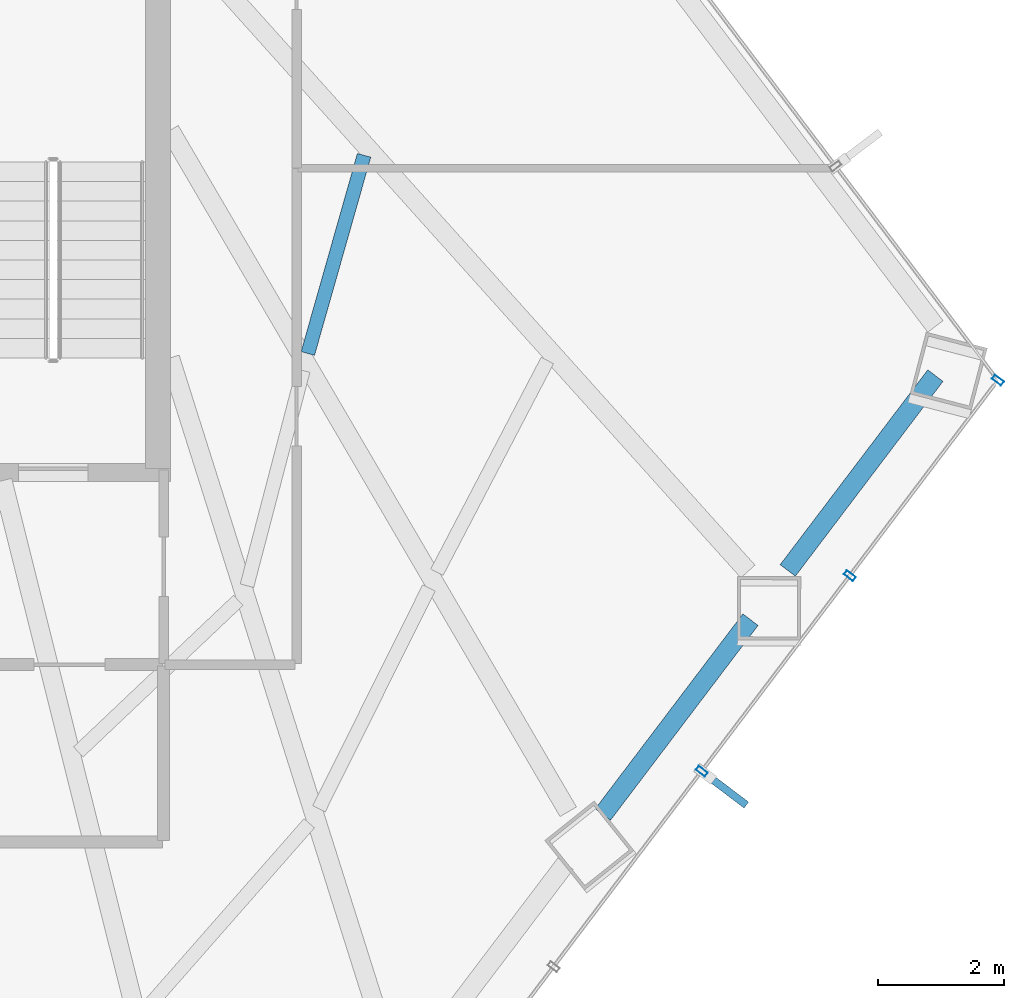
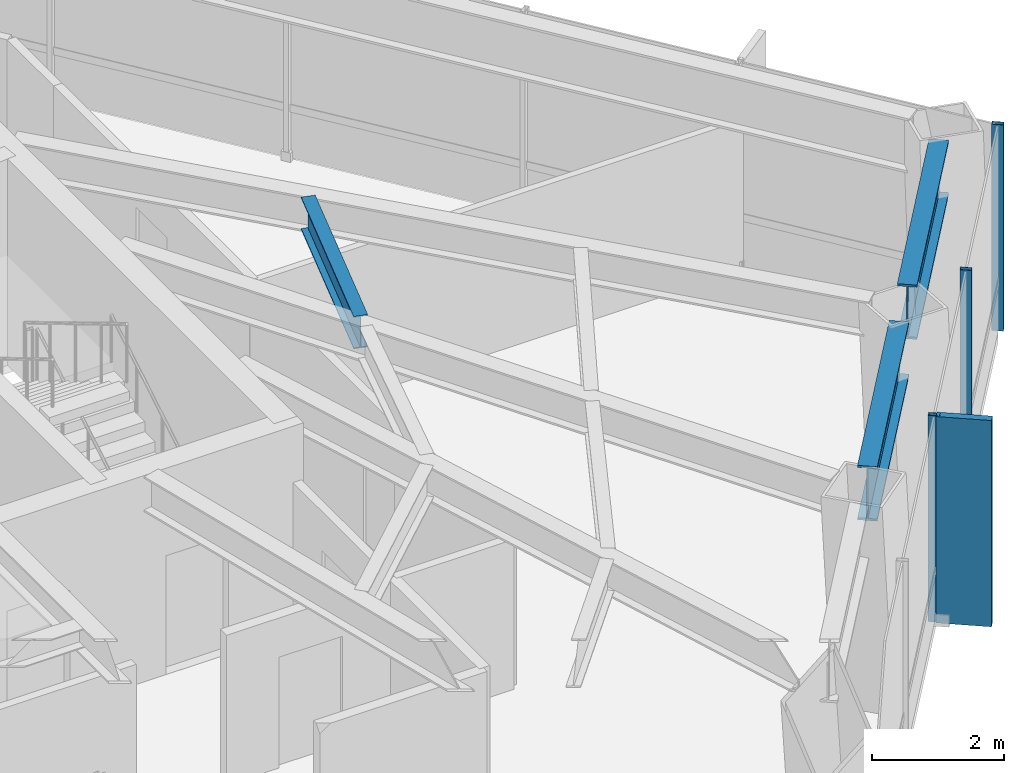
# One storey, part 19 of 26: 4 members, 3 beams, 1 element without a shape of its own.
"""IFC4 building model written with IfcOpenShell, lengths in metres."""

from ifc_helpers import new_model, si_unit, direction, frame, origin, origin_2d, place, context, subcontext, project, spatial, rectangle, hollow_rectangle, i_section, extrude, material, layer, layer_set, material_profile, profile_set, type_object, element, aggregate, save


model = new_model("IFC4")

# Units and contexts
model_context = context("Model", 3, precision=1e-05, world=origin(), true_north=direction((0.0, 1.0)))
body_context = subcontext(model_context, "Body", "Model", "MODEL_VIEW")
ifc_project = project(units=[si_unit("LENGTHUNIT", "METRE"), si_unit("AREAUNIT", "SQUARE_METRE"), si_unit("VOLUMEUNIT", "CUBIC_METRE"), si_unit("PLANEANGLEUNIT", "RADIAN"), si_unit("MASSUNIT", "GRAM", prefix="KILO")], contexts=[model_context])

# Site, building, storey
site_placement = place(None, origin())
site = spatial("IfcSite", under=ifc_project, at=site_placement, CompositionType="ELEMENT")
building_placement = place(site_placement, origin())
building = spatial("IfcBuilding", under=site, at=building_placement, Name="Zarrinselat Tower", CompositionType="ELEMENT")
storey_placement = place(building_placement, frame((0.0, 0.0, 35.699951171875)))
storey = spatial("IfcBuildingStorey", under=building, at=storey_placement, Name="L08", CompositionType="ELEMENT", Elevation=35.699951171875)

# Beams
ifc_material_1 = material(Name="Steel S460M", Category="steel")
ifc_material_profile_1 = material_profile(ifc_material_1, i_section(OverallWidth=0.302001953125, OverallDepth=1.008056640625, WebThickness=0.02099609375, FlangeThickness=0.0400390625, at=origin_2d()), Name="HEM 1000")
ifc_profile_set_1 = profile_set([ifc_material_profile_1], Name="Steel S460M")
beam_type_1 = type_object("IfcBeamType", Name="BM-HEM1000", PredefinedType="BEAM", material=ifc_profile_set_1)
for number, where, z_axis, x_axis, name in (
    (1, (55.2939453125, 27.781005859375, 3.316162109375), (0.603852824523, 0.79709583258, 0.0), (-0.79709583258, 0.603852824523, 0.0), "L08 Perimeter Spandrel Girder SP13"),
    (2, (58.218017578125, 31.640380859375, 3.316162109375), (0.603852824523, 0.79709583258, 0.0), (-0.79709583258, 0.603852824523, 0.0), "L08 Perimeter Spandrel Girder SP14"),
):
    element("IfcBeam", number, at=place(storey_placement, frame(where, z_axis=z_axis, x_axis=x_axis)), inside=storey, type_object=beam_type_1, Name=name, PredefinedType="BEAM", context=body_context, shape_type="SweptSolid", body=[
        extrude(i_section(OverallWidth=0.302001953125, OverallDepth=1.008056640625, WebThickness=0.02099609375, FlangeThickness=0.0400390625, at=origin_2d()), origin(), (0.0, 0.0, 1.0), 3.865966796875),
    ])
ifc_material_2 = material(Name="Steel S355J2", Category="steel")
ifc_material_profile_2 = material_profile(ifc_material_2, i_section(OverallWidth=0.219970703125, OverallDepth=0.60009765625, WebThickness=0.011962890625, FlangeThickness=0.01904296875, at=origin_2d()), Name="IPE 600")
ifc_profile_set_2 = profile_set([ifc_material_profile_2], Name="Steel S355J2")
beam_type_2 = type_object("IfcBeamType", Name="BM-IPE600", PredefinedType="JOIST", material=ifc_profile_set_2)
beam_placement = place(storey_placement, frame((50.62890625, 35.0712890625, 3.52001953125), z_axis=(0.27303835726, 0.962003147326, 0.0), x_axis=(-0.962003147326, 0.27303835726, 0.0)))
element("IfcBeam", 3, at=beam_placement, inside=storey, type_object=beam_type_2, Name="L08 Composite Floor Joist 5-2", PredefinedType="JOIST", context=body_context, shape_type="SweptSolid", body=[
    extrude(i_section(OverallWidth=0.219970703125, OverallDepth=0.60009765625, WebThickness=0.011962890625, FlangeThickness=0.01904296875, at=origin_2d()), origin(), (0.0, 0.0, 1.0), 3.25830078125),
])

# Curtain wall, members
ifc_material_3 = material(Name="Extruded Aluminium Alloy EN AW-6063 T6", Category="aluminium")
ifc_layer = layer(ifc_material_3, 0.18505859375)
ifc_layer_set = layer_set([ifc_layer], Name="Extruded Aluminium Alloy EN AW-6063 T6")
curtain_wall_type = type_object("IfcCurtainWallType", Name="CWS-OFF", PredefinedType="NOTDEFINED", material=ifc_layer_set)
curtain_wall_placement = place(storey_placement, origin())
curtain_wall = element("IfcCurtainWall", 4, at=curtain_wall_placement, inside=storey, type_object=curtain_wall_type, Name="L08 Unitised Curtain Wall CW-L08-E05", PredefinedType="NOTDEFINED")
ifc_material_4 = material(Name="Extruded Aluminium Alloy EN AW-6063 T6", Category="aluminium")
ifc_material_profile_3 = material_profile(ifc_material_4, hollow_rectangle(XDim=0.080078125, YDim=0.179931640625, WallThickness=0.0048828125, at=origin_2d()), Name="RHS 180x80x5")
ifc_profile_set_3 = profile_set([ifc_material_profile_3], Name="Extruded Aluminium Alloy EN AW-6063 T6")
member_type_1 = type_object("IfcMemberType", Name="MEM-CW-MUL", PredefinedType="MULLION", material=ifc_profile_set_3)
member_1_placement = place(storey_placement, frame((56.857421875, 28.465087890625, 0.0), z_axis=(0.0, 0.0, 1.0), x_axis=(0.603858382963, 0.797091621663, 0.0)))
member_1 = element("IfcMember", 5, at=member_1_placement, type_object=member_type_1, Name="CW-L08-E05 Mullion 3", PredefinedType="MULLION", context=body_context, shape_type="SweptSolid", body=[
    extrude(hollow_rectangle(XDim=0.080078125, YDim=0.179931640625, WallThickness=0.0048828125, at=origin_2d()), origin(), (0.0, 0.0, 1.0), 3.820068359375),
])
member_2_placement = place(storey_placement, frame((59.19970703125, 31.556640625, 0.0), z_axis=(0.0, 0.0, 1.0), x_axis=(0.603858382963, 0.797091621663, 0.0)))
member_2 = element("IfcMember", 6, at=member_2_placement, type_object=member_type_1, Name="CW-L08-E05 Mullion 4", PredefinedType="MULLION", context=body_context, shape_type="SweptSolid", body=[
    extrude(hollow_rectangle(XDim=0.080078125, YDim=0.179931640625, WallThickness=0.0048828125, at=origin_2d()), origin(), (0.0, 0.0, 1.0), 3.820068359375),
])
member_3_placement = place(storey_placement, frame((61.541748046875, 34.648193359375, 0.0), z_axis=(0.0, 0.0, 1.0), x_axis=(0.603858382963, 0.797091621663, 0.0)))
member_3 = element("IfcMember", 7, at=member_3_placement, type_object=member_type_1, Name="CW-L08-E05 Mullion 5", PredefinedType="MULLION", context=body_context, shape_type="SweptSolid", body=[
    extrude(hollow_rectangle(XDim=0.080078125, YDim=0.179931640625, WallThickness=0.0048828125, at=origin_2d()), origin(), (0.0, 0.0, 1.0), 3.820068359375),
])
ifc_material_5 = material(Name="Honed Cream Travertine Stone", Category="masonry")
ifc_material_profile_4 = material_profile(ifc_material_5, rectangle(XDim=0.1201171875, YDim=0.85009765625, at=origin_2d()), Name="FIN 850x120")
ifc_profile_set_4 = profile_set([ifc_material_profile_4], Name="Honed Cream Travertine Stone")
member_type_2 = type_object("IfcMemberType", Name="MEM-STONE-FIN", PredefinedType="USERDEFINED", material=ifc_profile_set_4)
member_4_placement = place(storey_placement, frame((57.22412109375, 28.187255859375, 0.0), z_axis=(0.0, 0.0, 1.0), x_axis=(-0.603858382963, -0.797091621663, 0.0)))
member_4 = element("IfcMember", 8, at=member_4_placement, type_object=member_type_2, Name="L08 Stone Shading Fin CW-L08-E05-03", ObjectType="FIN", PredefinedType="USERDEFINED", context=body_context, shape_type="SweptSolid", body=[
    extrude(rectangle(XDim=0.1201171875, YDim=0.85009765625, at=origin_2d()), origin(), (0.0, 0.0, 1.0), 3.820068359375),
])
aggregate(curtain_wall, [member_1, member_4, member_2, member_3])

save(model, "model.ifc")
